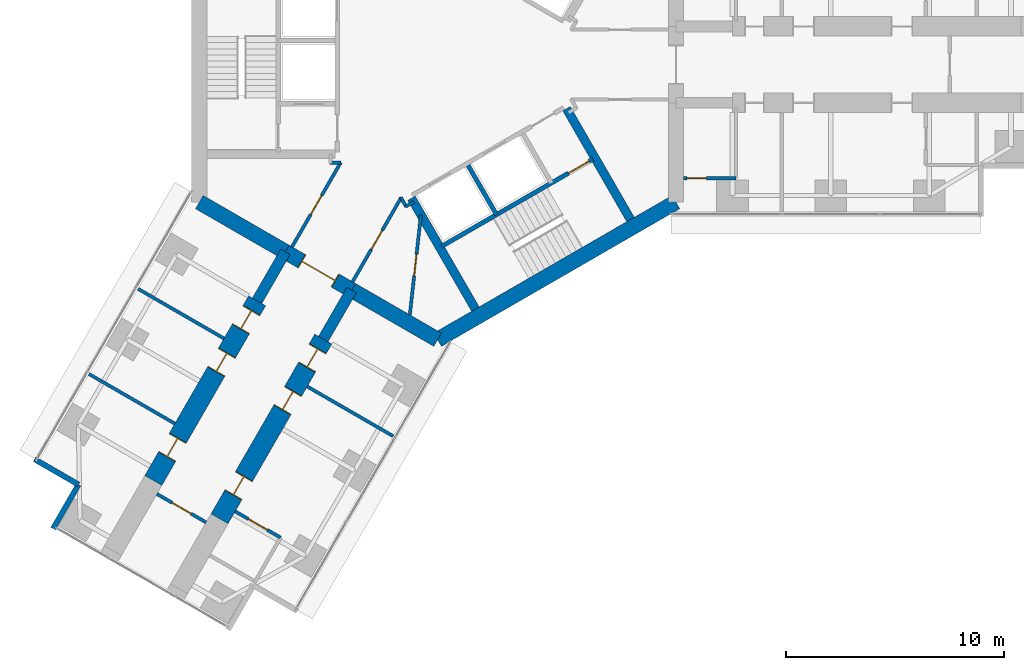
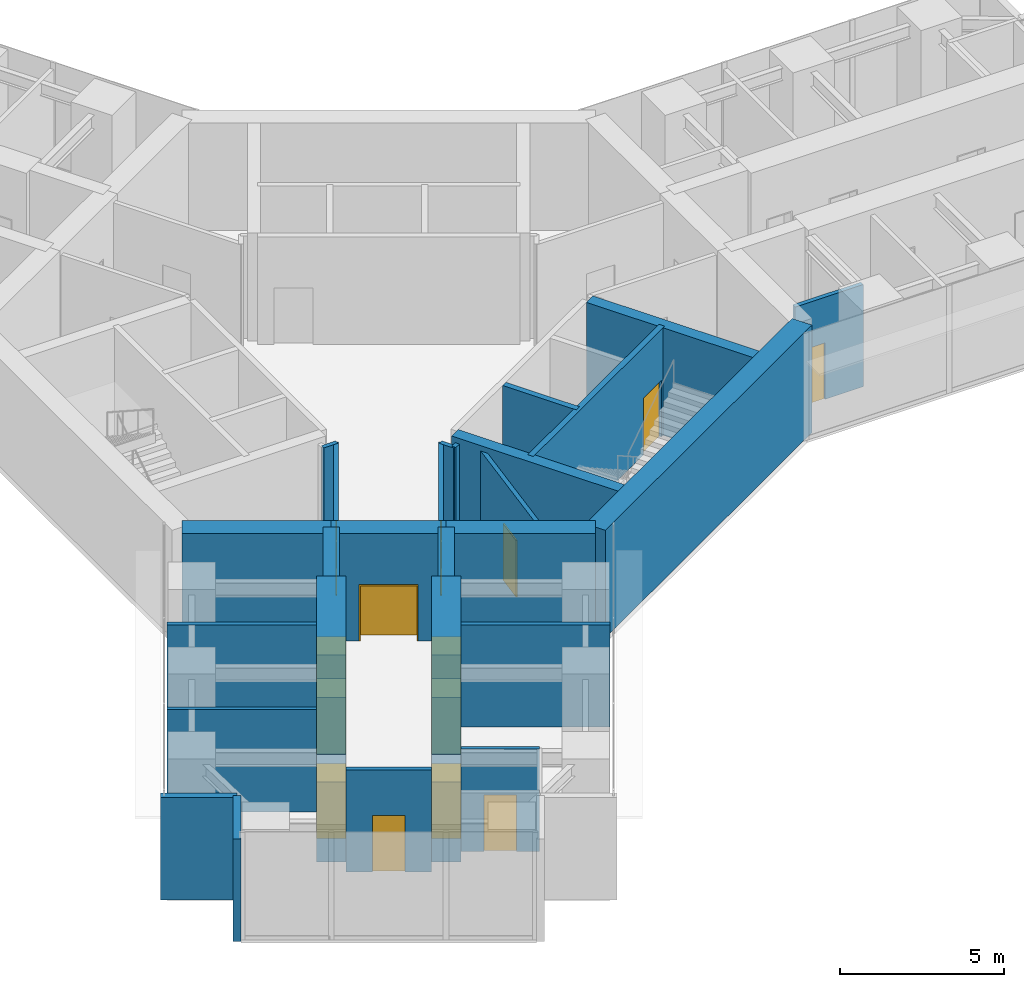
# One storey, part 16 of 24: 26 walls, 14 doors, 14 openings.
"""IFC4 building model written with IfcOpenShell, lengths in metres."""

from ifc_helpers import new_model, si_unit, direction, frame, frame_2d, origin, place, context, subcontext, project, spatial, rectangle, extrude, material, layer, layer_set, type_object, element, fill, save


model = new_model("IFC4")

# Units and contexts
model_context = context("Model", 3, precision=1e-05, world=origin(), true_north=direction((0.0, 1.0)))
body_context = subcontext(model_context, "Body", "Model", "MODEL_VIEW")
ifc_project = project(units=[si_unit("LENGTHUNIT", "METRE"), si_unit("AREAUNIT", "SQUARE_METRE"), si_unit("VOLUMEUNIT", "CUBIC_METRE"), si_unit("PLANEANGLEUNIT", "RADIAN"), si_unit("MASSUNIT", "GRAM", prefix="KILO")], contexts=[model_context])

# Site, building, storey
site_placement = place(None, origin())
site = spatial("IfcSite", under=ifc_project, at=site_placement, CompositionType="ELEMENT")
building_placement = place(site_placement, origin())
building = spatial("IfcBuilding", under=site, at=building_placement, Name="Upepo Twin Towers", CompositionType="ELEMENT")
storey_placement = place(building_placement, frame((0.0, 0.0, 48.5)))
storey = spatial("IfcBuildingStorey", under=building, at=storey_placement, Name="L11", CompositionType="ELEMENT", Elevation=48.5)

# Walls
ifc_material_1 = material(Name="Concrete C60/75", Category="concrete")
ifc_layer_1 = layer(ifc_material_1, 0.5)
ifc_layer_set_1 = layer_set([ifc_layer_1], Name="Concrete C60/75")
wall_type_1 = type_object("IfcWallType", Name="Buttress wall 500 RC", PredefinedType="SHEAR", material=ifc_layer_set_1)
for number, where, z_axis, x_axis, name in (
    (1, (-3.938720703125, -10.32177734375, 0.0), (0.0, 0.0, 1.0), (-0.499918158782, -0.866072649678, 0.0), "T1 wing C buttress wall L"),
    (2, (-6.9697265625, -8.57177734375, 0.0), (0.0, 0.0, 1.0), (-0.499988811324, -0.866031863473, 0.0), "T1 wing C buttress wall R"),
):
    element("IfcWall", number, at=place(storey_placement, frame(where, z_axis=z_axis, x_axis=x_axis)), inside=storey, type_object=wall_type_1, Name=name, PredefinedType="SHEAR", context=body_context, shape_type="SweptSolid", body=[
        extrude(rectangle(XDim=2.591796875, YDim=0.5, at=frame_2d((1.2958984375, 0.0))), origin(), (0.0, 0.0, 1.0), 4.0),
    ])

# Wall, openings, doors
ifc_material_2 = material(Name="Concrete C60/75", Category="concrete")
ifc_layer_2 = layer(ifc_material_2, 0.89990234375)
ifc_layer_set_2 = layer_set([ifc_layer_2], Name="Concrete C60/75")
wall_type_2 = type_object("IfcWallType", Name="Buttress wall 900 RC", PredefinedType="SHEAR", material=ifc_layer_set_2)
wall_1_placement = place(storey_placement, frame((-5.234375, -12.56640625, 0.0), z_axis=(0.0, 0.0, 1.0), x_axis=(-0.499997557548, -0.86602681393, 0.0)))
wall_1 = element("IfcWall", 3, at=wall_1_placement, inside=storey, type_object=wall_type_2, Name="T1 wing C buttress wall L part 2", PredefinedType="SHEAR", context=body_context, shape_type="SweptSolid", body=[
    extrude(rectangle(XDim=9.5, YDim=0.89990234375, at=frame_2d((4.75, 0.0))), origin(), (0.0, 0.0, 1.0), 4.0),
])
opening_1_placement = place(wall_1_placement, frame((0.5, 0.0, 0.0)))
opening_1 = element("IfcOpeningElement", 4, at=opening_1_placement, cuts=wall_1, Name="Opening D1", PredefinedType="OPENING", context=body_context, shape_type="SweptSolid", body=[
    extrude(rectangle(XDim=1.0, YDim=2.10009765625, at=frame_2d((0.5, 1.050048828125))), frame((0.0, 0.4599609375, 0.0), z_axis=(0.0, -1.0, 0.0), x_axis=(1.0, 0.0, 0.0)), (0.0, 0.0, 1.0), 0.919921875),
])
opening_2_placement = place(wall_1_placement, frame((2.75, 0.0, 0.0)))
opening_2 = element("IfcOpeningElement", 5, at=opening_2_placement, cuts=wall_1, Name="Opening D1", PredefinedType="OPENING", context=body_context, shape_type="SweptSolid", body=[
    extrude(rectangle(XDim=1.0, YDim=2.10009765625, at=frame_2d((0.5, 1.050048828125))), frame((0.0, 0.4599609375, 0.0), z_axis=(0.0, -1.0, 0.0), x_axis=(1.0, 0.0, 0.0)), (0.0, 0.0, 1.0), 0.919921875),
])
opening_3_placement = place(wall_1_placement, frame((7.25, 0.0, 0.0)))
opening_3 = element("IfcOpeningElement", 6, at=opening_3_placement, cuts=wall_1, Name="Opening D1", PredefinedType="OPENING", context=body_context, shape_type="SweptSolid", body=[
    extrude(rectangle(XDim=1.0, YDim=2.10009765625, at=frame_2d((0.5, 1.050048828125))), frame((0.0, 0.4599609375, 0.0), z_axis=(0.0, -1.0, 0.0), x_axis=(1.0, 0.0, 0.0)), (0.0, 0.0, 1.0), 0.919921875),
])
ifc_material_3 = material(Name="Timber doorset", Category="wood")
door_type_1 = type_object("IfcDoorType", Name="Room door 1000 FD30", OperationType="SINGLE_SWING_LEFT", PredefinedType="DOOR", material=ifc_material_3)
door_1_placement = place(opening_1_placement, origin())
door_1 = element("IfcDoor", 7, at=door_1_placement, inside=storey, type_object=door_type_1, Name="T1 L11 tutorial room door", OperationType="SINGLE_SWING_LEFT", OverallHeight=2.10009765625, OverallWidth=1.0, PredefinedType="DOOR", context=body_context, shape_type="SweptSolid", body=[
    extrude(rectangle(XDim=0.92, YDim=2.06009765625, at=frame_2d((0.5, 1.030029296875))), frame((0.0, 0.02490234375, 0.0), z_axis=(0.0, -1.0, 0.0), x_axis=(1.0, 0.0, 0.0)), (0.0, 0.0, 1.0), 0.050048828125),
    extrude(rectangle(XDim=0.04, YDim=2.10009765625, at=frame_2d((0.02001953125, 1.050048828125))), frame((0.0, 0.44970703125, 0.0), z_axis=(0.0, -1.0, 0.0), x_axis=(1.0, 0.0, 0.0)), (0.0, 0.0, 1.0), 0.8994140625),
    extrude(rectangle(XDim=0.04, YDim=2.10009765625, at=frame_2d((0.97998046875, 1.050048828125))), frame((0.0, 0.44970703125, 0.0), z_axis=(0.0, -1.0, 0.0), x_axis=(1.0, 0.0, 0.0)), (0.0, 0.0, 1.0), 0.8994140625),
    extrude(rectangle(XDim=0.92, YDim=0.04, at=frame_2d((0.5, 2.080078125))), frame((0.0, 0.44970703125, 0.0), z_axis=(0.0, -1.0, 0.0), x_axis=(1.0, 0.0, 0.0)), (0.0, 0.0, 1.0), 0.8994140625),
])
fill(opening_1, door_1)
door_2_placement = place(opening_2_placement, origin())
door_2 = element("IfcDoor", 8, at=door_2_placement, inside=storey, type_object=door_type_1, Name="T1 L11 teaching laboratory door", OperationType="SINGLE_SWING_LEFT", OverallHeight=2.10009765625, OverallWidth=1.0, PredefinedType="DOOR", context=body_context, shape_type="SweptSolid", body=[
    extrude(rectangle(XDim=0.92, YDim=2.06009765625, at=frame_2d((0.5, 1.030029296875))), frame((0.0, 0.02490234375, 0.0), z_axis=(0.0, -1.0, 0.0), x_axis=(1.0, 0.0, 0.0)), (0.0, 0.0, 1.0), 0.050048828125),
    extrude(rectangle(XDim=0.04, YDim=2.10009765625, at=frame_2d((0.02001953125, 1.050048828125))), frame((0.0, 0.44970703125, 0.0), z_axis=(0.0, -1.0, 0.0), x_axis=(1.0, 0.0, 0.0)), (0.0, 0.0, 1.0), 0.8994140625),
    extrude(rectangle(XDim=0.04, YDim=2.10009765625, at=frame_2d((0.97998046875, 1.050048828125))), frame((0.0, 0.44970703125, 0.0), z_axis=(0.0, -1.0, 0.0), x_axis=(1.0, 0.0, 0.0)), (0.0, 0.0, 1.0), 0.8994140625),
    extrude(rectangle(XDim=0.92, YDim=0.04, at=frame_2d((0.5, 2.080078125))), frame((0.0, 0.44970703125, 0.0), z_axis=(0.0, -1.0, 0.0), x_axis=(1.0, 0.0, 0.0)), (0.0, 0.0, 1.0), 0.8994140625),
])
fill(opening_2, door_2)
door_3_placement = place(opening_3_placement, origin())
door_3 = element("IfcDoor", 9, at=door_3_placement, inside=storey, type_object=door_type_1, Name="T1 L11 teaching laboratory door", OperationType="SINGLE_SWING_RIGHT", OverallHeight=2.10009765625, OverallWidth=1.0, PredefinedType="DOOR", context=body_context, shape_type="SweptSolid", body=[
    extrude(rectangle(XDim=0.92, YDim=2.06009765625, at=frame_2d((0.5, 1.030029296875))), frame((0.0, 0.02490234375, 0.0), z_axis=(0.0, -1.0, 0.0), x_axis=(1.0, 0.0, 0.0)), (0.0, 0.0, 1.0), 0.050048828125),
    extrude(rectangle(XDim=0.04, YDim=2.10009765625, at=frame_2d((0.02001953125, 1.050048828125))), frame((0.0, 0.44970703125, 0.0), z_axis=(0.0, -1.0, 0.0), x_axis=(1.0, 0.0, 0.0)), (0.0, 0.0, 1.0), 0.8994140625),
    extrude(rectangle(XDim=0.04, YDim=2.10009765625, at=frame_2d((0.97998046875, 1.050048828125))), frame((0.0, 0.44970703125, 0.0), z_axis=(0.0, -1.0, 0.0), x_axis=(1.0, 0.0, 0.0)), (0.0, 0.0, 1.0), 0.8994140625),
    extrude(rectangle(XDim=0.92, YDim=0.04, at=frame_2d((0.5, 2.080078125))), frame((0.0, 0.44970703125, 0.0), z_axis=(0.0, -1.0, 0.0), x_axis=(1.0, 0.0, 0.0)), (0.0, 0.0, 1.0), 0.8994140625),
])
fill(opening_3, door_3)

wall_2_placement = place(storey_placement, frame((-8.265625, -10.81640625, 0.0), z_axis=(0.0, 0.0, 1.0), x_axis=(-0.499997557548, -0.86602681393, 0.0)))
wall_2 = element("IfcWall", 10, at=wall_2_placement, inside=storey, type_object=wall_type_2, Name="T1 wing C buttress wall R part 2", PredefinedType="SHEAR", context=body_context, shape_type="SweptSolid", body=[
    extrude(rectangle(XDim=9.5, YDim=0.89990234375, at=frame_2d((4.75, 0.0))), origin(), (0.0, 0.0, 1.0), 4.0),
])
opening_4_placement = place(wall_2_placement, frame((0.5, 0.0, 0.0)))
opening_4 = element("IfcOpeningElement", 11, at=opening_4_placement, cuts=wall_2, Name="Opening D1", PredefinedType="OPENING", context=body_context, shape_type="SweptSolid", body=[
    extrude(rectangle(XDim=1.0, YDim=2.10009765625, at=frame_2d((0.5, 1.050048828125))), frame((0.0, 0.4599609375, 0.0), z_axis=(0.0, -1.0, 0.0), x_axis=(1.0, 0.0, 0.0)), (0.0, 0.0, 1.0), 0.919921875),
])
opening_5_placement = place(wall_2_placement, frame((2.75, 0.0, 0.0)))
opening_5 = element("IfcOpeningElement", 12, at=opening_5_placement, cuts=wall_2, Name="Opening D1", PredefinedType="OPENING", context=body_context, shape_type="SweptSolid", body=[
    extrude(rectangle(XDim=1.0, YDim=2.10009765625, at=frame_2d((0.5, 1.050048828125))), frame((0.0, 0.4599609375, 0.0), z_axis=(0.0, -1.0, 0.0), x_axis=(1.0, 0.0, 0.0)), (0.0, 0.0, 1.0), 0.919921875),
])
opening_6_placement = place(wall_2_placement, frame((7.25, 0.0, 0.0)))
opening_6 = element("IfcOpeningElement", 13, at=opening_6_placement, cuts=wall_2, Name="Opening D1", PredefinedType="OPENING", context=body_context, shape_type="SweptSolid", body=[
    extrude(rectangle(XDim=1.0, YDim=2.10009765625, at=frame_2d((0.5, 1.050048828125))), frame((0.0, 0.4599609375, 0.0), z_axis=(0.0, -1.0, 0.0), x_axis=(1.0, 0.0, 0.0)), (0.0, 0.0, 1.0), 0.919921875),
])
door_4_placement = place(opening_4_placement, origin())
door_4 = element("IfcDoor", 14, at=door_4_placement, inside=storey, type_object=door_type_1, Name="T1 L11 computing laboratory door", OperationType="SINGLE_SWING_LEFT", OverallHeight=2.10009765625, OverallWidth=1.0, PredefinedType="DOOR", context=body_context, shape_type="SweptSolid", body=[
    extrude(rectangle(XDim=0.92, YDim=2.06009765625, at=frame_2d((0.5, 1.030029296875))), frame((0.0, 0.02490234375, 0.0), z_axis=(0.0, -1.0, 0.0), x_axis=(1.0, 0.0, 0.0)), (0.0, 0.0, 1.0), 0.050048828125),
    extrude(rectangle(XDim=0.04, YDim=2.10009765625, at=frame_2d((0.02001953125, 1.050048828125))), frame((0.0, 0.44970703125, 0.0), z_axis=(0.0, -1.0, 0.0), x_axis=(1.0, 0.0, 0.0)), (0.0, 0.0, 1.0), 0.8994140625),
    extrude(rectangle(XDim=0.04, YDim=2.10009765625, at=frame_2d((0.97998046875, 1.050048828125))), frame((0.0, 0.44970703125, 0.0), z_axis=(0.0, -1.0, 0.0), x_axis=(1.0, 0.0, 0.0)), (0.0, 0.0, 1.0), 0.8994140625),
    extrude(rectangle(XDim=0.92, YDim=0.04, at=frame_2d((0.5, 2.080078125))), frame((0.0, 0.44970703125, 0.0), z_axis=(0.0, -1.0, 0.0), x_axis=(1.0, 0.0, 0.0)), (0.0, 0.0, 1.0), 0.8994140625),
])
fill(opening_4, door_4)
door_5_placement = place(opening_5_placement, origin())
door_5 = element("IfcDoor", 15, at=door_5_placement, inside=storey, type_object=door_type_1, Name="T1 L11 seminar room door", OperationType="SINGLE_SWING_LEFT", OverallHeight=2.10009765625, OverallWidth=1.0, PredefinedType="DOOR", context=body_context, shape_type="SweptSolid", body=[
    extrude(rectangle(XDim=0.92, YDim=2.06009765625, at=frame_2d((0.5, 1.030029296875))), frame((0.0, 0.02490234375, 0.0), z_axis=(0.0, -1.0, 0.0), x_axis=(1.0, 0.0, 0.0)), (0.0, 0.0, 1.0), 0.050048828125),
    extrude(rectangle(XDim=0.04, YDim=2.10009765625, at=frame_2d((0.02001953125, 1.050048828125))), frame((0.0, 0.44970703125, 0.0), z_axis=(0.0, -1.0, 0.0), x_axis=(1.0, 0.0, 0.0)), (0.0, 0.0, 1.0), 0.8994140625),
    extrude(rectangle(XDim=0.04, YDim=2.10009765625, at=frame_2d((0.97998046875, 1.050048828125))), frame((0.0, 0.44970703125, 0.0), z_axis=(0.0, -1.0, 0.0), x_axis=(1.0, 0.0, 0.0)), (0.0, 0.0, 1.0), 0.8994140625),
    extrude(rectangle(XDim=0.92, YDim=0.04, at=frame_2d((0.5, 2.080078125))), frame((0.0, 0.44970703125, 0.0), z_axis=(0.0, -1.0, 0.0), x_axis=(1.0, 0.0, 0.0)), (0.0, 0.0, 1.0), 0.8994140625),
])
fill(opening_5, door_5)
door_6_placement = place(opening_6_placement, origin())
door_6 = element("IfcDoor", 16, at=door_6_placement, inside=storey, type_object=door_type_1, Name="T1 L11 staff office door", OperationType="SINGLE_SWING_RIGHT", OverallHeight=2.10009765625, OverallWidth=1.0, PredefinedType="DOOR", context=body_context, shape_type="SweptSolid", body=[
    extrude(rectangle(XDim=0.92, YDim=2.06009765625, at=frame_2d((0.5, 1.030029296875))), frame((0.0, 0.02490234375, 0.0), z_axis=(0.0, -1.0, 0.0), x_axis=(1.0, 0.0, 0.0)), (0.0, 0.0, 1.0), 0.050048828125),
    extrude(rectangle(XDim=0.04, YDim=2.10009765625, at=frame_2d((0.02001953125, 1.050048828125))), frame((0.0, 0.44970703125, 0.0), z_axis=(0.0, -1.0, 0.0), x_axis=(1.0, 0.0, 0.0)), (0.0, 0.0, 1.0), 0.8994140625),
    extrude(rectangle(XDim=0.04, YDim=2.10009765625, at=frame_2d((0.97998046875, 1.050048828125))), frame((0.0, 0.44970703125, 0.0), z_axis=(0.0, -1.0, 0.0), x_axis=(1.0, 0.0, 0.0)), (0.0, 0.0, 1.0), 0.8994140625),
    extrude(rectangle(XDim=0.92, YDim=0.04, at=frame_2d((0.5, 2.080078125))), frame((0.0, 0.44970703125, 0.0), z_axis=(0.0, -1.0, 0.0), x_axis=(1.0, 0.0, 0.0)), (0.0, 0.0, 1.0), 0.8994140625),
])
fill(opening_6, door_6)

# Wall
ifc_material_4 = material(Name="Concrete C60/75", Category="concrete")
ifc_layer_3 = layer(ifc_material_4, 0.699951171875)
ifc_layer_set_3 = layer_set([ifc_layer_3], Name="Concrete C60/75")
wall_type_3 = type_object("IfcWallType", Name="Core wall 700 RC", PredefinedType="SHEAR", material=ifc_layer_set_3)
wall_3_placement = place(storey_placement, frame((-10.908447265625, -6.2978515625, 0.0), z_axis=(0.0, 0.0, 1.0), x_axis=(0.866034513004, -0.499984222037, 0.0)))
element("IfcWall", 17, at=wall_3_placement, inside=storey, type_object=wall_type_3, Name="T1 core wall 240 R", PredefinedType="SHEAR", context=body_context, shape_type="SweptSolid", body=[
    extrude(rectangle(XDim=4.548095703125, YDim=0.699951171875, at=frame_2d((2.27392578125, 0.0))), origin(), (0.0, 0.0, 1.0), 4.0),
])

# Wall, opening, door
wall_4_placement = place(storey_placement, frame((-6.9697265625, -8.57177734375, 0.0), z_axis=(0.0, 0.0, 1.0), x_axis=(0.866019471182, -0.500010275428, 0.0)))
wall_4 = element("IfcWall", 18, at=wall_4_placement, inside=storey, type_object=wall_type_3, Name="T1 core wall 240", PredefinedType="SHEAR", context=body_context, shape_type="SweptSolid", body=[
    extrude(rectangle(XDim=3.5, YDim=0.699951171875, at=frame_2d((1.75, 0.0))), origin(), (0.0, 0.0, 1.0), 4.0),
])
opening_7_placement = place(wall_4_placement, frame((0.85009765625, 0.0, 0.0)))
opening_7 = element("IfcOpeningElement", 19, at=opening_7_placement, cuts=wall_4, Name="Opening D2", PredefinedType="OPENING", context=body_context, shape_type="SweptSolid", body=[
    extrude(rectangle(XDim=1.800048828125, YDim=2.10009765625, at=frame_2d((0.89990234375, 1.050048828125))), frame((0.0, 0.35986328125, 0.0), z_axis=(0.0, -1.0, 0.0), x_axis=(1.0, 0.0, 0.0)), (0.0, 0.0, 1.0), 0.719970703125),
])
ifc_material_5 = material(Name="Timber doorset", Category="wood")
door_type_2 = type_object("IfcDoorType", Name="Corridor double door 1800 FD60", OperationType="DOUBLE_DOOR_DOUBLE_SWING", PredefinedType="DOOR", material=ifc_material_5)
door_7_placement = place(opening_7_placement, origin())
door_7 = element("IfcDoor", 20, at=door_7_placement, inside=storey, type_object=door_type_2, Name="T1 L11 wing C corridor door", OperationType="DOUBLE_DOOR_DOUBLE_SWING", OverallHeight=2.10009765625, OverallWidth=1.800048828125, PredefinedType="DOOR", context=body_context, shape_type="SweptSolid", body=[
    extrude(rectangle(XDim=1.720048828125, YDim=2.06009765625, at=frame_2d((0.89990234375, 1.030029296875))), frame((0.0, 0.02490234375, 0.0), z_axis=(0.0, -1.0, 0.0), x_axis=(1.0, 0.0, 0.0)), (0.0, 0.0, 1.0), 0.050048828125),
    extrude(rectangle(XDim=0.04, YDim=2.10009765625, at=frame_2d((0.02001953125, 1.050048828125))), frame((0.0, 0.349609375, 0.0), z_axis=(0.0, -1.0, 0.0), x_axis=(1.0, 0.0, 0.0)), (0.0, 0.0, 1.0), 0.699462890625),
    extrude(rectangle(XDim=0.04, YDim=2.10009765625, at=frame_2d((1.780029296875, 1.050048828125))), frame((0.0, 0.349609375, 0.0), z_axis=(0.0, -1.0, 0.0), x_axis=(1.0, 0.0, 0.0)), (0.0, 0.0, 1.0), 0.699462890625),
    extrude(rectangle(XDim=1.720048828125, YDim=0.04, at=frame_2d((0.89990234375, 2.080078125))), frame((0.0, 0.349609375, 0.0), z_axis=(0.0, -1.0, 0.0), x_axis=(1.0, 0.0, 0.0)), (0.0, 0.0, 1.0), 0.699462890625),
])
fill(opening_7, door_7)

# Walls
wall_5_placement = place(storey_placement, frame((-3.938720703125, -10.32177734375, 0.0), z_axis=(0.0, 0.0, 1.0), x_axis=(0.866011268655, -0.500024481964, 0.0)))
element("IfcWall", 21, at=wall_5_placement, inside=storey, type_object=wall_type_3, Name="T1 core wall 240 L", PredefinedType="SHEAR", context=body_context, shape_type="SweptSolid", body=[
    extrude(rectangle(XDim=4.548095703125, YDim=0.699951171875, at=frame_2d((2.27392578125, 0.0))), origin(), (0.0, 0.0, 1.0), 4.0),
])
wall_6_placement = place(storey_placement, frame((0.0, -12.595947265625, 0.0), z_axis=(0.0, 0.0, 1.0), x_axis=(0.866021940709, 0.500005998175, 0.0)))
element("IfcWall", 22, at=wall_6_placement, inside=storey, type_object=wall_type_3, Name="T1 core wall 300", PredefinedType="SHEAR", context=body_context, shape_type="SweptSolid", body=[
    extrude(rectangle(XDim=12.595947265625, YDim=0.699951171875, at=frame_2d((6.2978515625, 0.0))), origin(), (0.0, 0.0, 1.0), 4.0),
])
ifc_material_6 = material(Name="Blockwork with anodised aluminium cladding", Category="masonry")
ifc_layer_4 = layer(ifc_material_6, 0.25)
ifc_layer_set_4 = layer_set([ifc_layer_4], Name="Notch cladding wall 250, pale metal")
wall_type_4 = type_object("IfcWallType", Name="Notch cladding wall 250, pale metal", PredefinedType="STANDARD", material=ifc_layer_set_4)
for number, where, z_axis, x_axis, name in (
    (23, (-18.456298828125, -18.0673828125, 0.0), (0.0, 0.0, 1.0), (0.865998469481, -0.500046648681, 0.0), "T1 L11 wing C notch wall R1"),
    (24, (-16.44287109375, -19.22998046875, 0.0), (0.0, 0.0, 1.0), (-0.500046648681, -0.865998469481, 0.0), "T1 L11 wing C notch wall R2"),
):
    element("IfcWall", number, at=place(storey_placement, frame(where, z_axis=z_axis, x_axis=x_axis)), inside=storey, type_object=wall_type_4, Name=name, PredefinedType="STANDARD", context=body_context, shape_type="SweptSolid", body=[
        extrude(rectangle(XDim=2.324951171875, YDim=0.25, at=frame_2d((1.16259765625, 0.0))), origin(), (0.0, 0.0, 1.0), 3.800048828125),
    ])
ifc_material_7 = material(Name="Concrete C40/50", Category="concrete")
ifc_layer_5 = layer(ifc_material_7, 0.199951171875)
ifc_layer_set_5 = layer_set([ifc_layer_5], Name="Concrete C40/50")
wall_type_5 = type_object("IfcWallType", Name="Shaft wall 200 RC", PredefinedType="SHEAR", material=ifc_layer_set_5)
wall_7_placement = place(storey_placement, frame((1.3974609375, -4.620361328125, 0.0), z_axis=(0.0, 0.0, 1.0), x_axis=(0.499936506574, -0.866062058628, 0.0)))
element("IfcWall", 25, at=wall_7_placement, inside=storey, type_object=wall_type_5, Name="T1 core W300 shaft divider", PredefinedType="SHEAR", context=body_context, shape_type="SweptSolid", body=[
    extrude(rectangle(XDim=2.599853515625, YDim=0.199951171875, at=frame_2d((1.2998046875, 0.0))), origin(), (0.0, 0.0, 1.0), 4.0),
])

# Wall, opening, door
wall_8_placement = place(storey_placement, frame((0.185791015625, -8.322021484375, 0.0), z_axis=(0.0, 0.0, 1.0), x_axis=(0.866026010844, 0.49999894854, 0.0)))
wall_8 = element("IfcWall", 26, at=wall_8_placement, inside=storey, type_object=wall_type_5, Name="T1 core W300 stair wall", PredefinedType="SHEAR", context=body_context, shape_type="SweptSolid", body=[
    extrude(rectangle(XDim=8.0, YDim=0.199951171875, at=frame_2d((4.0, 0.0))), origin(), (0.0, 0.0, 1.0), 4.0),
])
opening_8_placement = place(wall_8_placement, frame((6.699951171875, 0.0, 0.0)))
opening_8 = element("IfcOpeningElement", 27, at=opening_8_placement, cuts=wall_8, Name="Opening D3", PredefinedType="OPENING", context=body_context, shape_type="SweptSolid", body=[
    extrude(rectangle(XDim=1.10009765625, YDim=2.10009765625, at=frame_2d((0.550048828125, 1.050048828125))), frame((0.0, 0.10986328125, 0.0), z_axis=(0.0, -1.0, 0.0), x_axis=(1.0, 0.0, 0.0)), (0.0, 0.0, 1.0), 0.219970703125),
])
ifc_material_8 = material(Name="Timber doorset", Category="wood")
door_type_3 = type_object("IfcDoorType", Name="Stair door 1100 FD60", OperationType="SINGLE_SWING_LEFT", PredefinedType="DOOR", material=ifc_material_8)
door_8_placement = place(opening_8_placement, origin())
door_8 = element("IfcDoor", 28, at=door_8_placement, inside=storey, type_object=door_type_3, Name="T1 L11 stair door", OperationType="SINGLE_SWING_RIGHT", OverallHeight=2.10009765625, OverallWidth=1.10009765625, PredefinedType="DOOR", context=body_context, shape_type="SweptSolid", body=[
    extrude(rectangle(XDim=1.10009765625, YDim=2.10009765625, at=frame_2d((0.550048828125, 1.050048828125))), frame((0.0, 0.02490234375, 0.0), z_axis=(0.0, -1.0, 0.0), x_axis=(1.0, 0.0, 0.0)), (0.0, 0.0, 1.0), 0.050048828125),
])
fill(opening_8, door_8)

# Walls
ifc_material_9 = material(Name="Concrete C40/50", Category="concrete")
ifc_layer_6 = layer(ifc_material_9, 0.39990234375)
ifc_layer_set_6 = layer_set([ifc_layer_6], Name="Concrete C40/50")
wall_type_6 = type_object("IfcWallType", Name="Shaft wall 400 RC", PredefinedType="SHEAR", material=ifc_layer_set_6)
for number, where, z_axis, x_axis, name in (
    (29, (5.900634765625, -2.020263671875, 0.0), (0.0, 0.0, 1.0), (0.500002627198, -0.866023886965, 0.0), "T1 core W300 side wall N"),
    (30, (-1.20068359375, -6.120361328125, 0.0), (0.0, 0.0, 1.0), (0.500002627198, -0.866023886965, 0.0), "T1 core W300 side wall S"),
):
    element("IfcWall", number, at=place(storey_placement, frame(where, z_axis=z_axis, x_axis=x_axis)), inside=storey, type_object=wall_type_6, Name=name, PredefinedType="SHEAR", context=body_context, shape_type="SweptSolid", body=[
        extrude(rectangle(XDim=5.8583984375, YDim=0.39990234375, at=frame_2d((2.92919921875, 0.0))), origin(), (0.0, 0.0, 1.0), 4.0),
    ])

# Wall, opening, door
ifc_material_10 = material(Name="Gypsum board on steel studs", Category="steel")
ifc_layer_7 = layer(ifc_material_10, 0.14990234375)
ifc_layer_set_7 = layer_set([ifc_layer_7], Name="Teaching partition 150 acoustic")
wall_type_7 = type_object("IfcWallType", Name="Teaching partition 150 acoustic", PredefinedType="PARTITIONING", material=ifc_layer_set_7)
wall_9_placement = place(storey_placement, frame((11.258056640625, -5.199951171875, 0.0), z_axis=(0.0, 0.0, 1.0), x_axis=(1.0, 0.0, 0.0)))
wall_9 = element("IfcWall", 31, at=wall_9_placement, inside=storey, type_object=wall_type_7, Name="T1 WC bay partition AR at 11.26", PredefinedType="PARTITIONING", context=body_context, shape_type="SweptSolid", body=[
    extrude(rectangle(XDim=2.39990234375, YDim=0.14990234375, at=frame_2d((1.199951171875, 0.0))), origin(), (0.0, 0.0, 1.0), 3.800048828125),
])
opening_9_placement = place(wall_9_placement, frame((0.14990234375, 0.0, 0.0)))
opening_9 = element("IfcOpeningElement", 32, at=opening_9_placement, cuts=wall_9, Name="Opening D14", PredefinedType="OPENING", context=body_context, shape_type="SweptSolid", body=[
    extrude(rectangle(XDim=0.89990234375, YDim=2.10009765625, at=frame_2d((0.449951171875, 1.050048828125))), frame((0.0, 0.0849609375, 0.0), z_axis=(0.0, -1.0, 0.0), x_axis=(1.0, 0.0, 0.0)), (0.0, 0.0, 1.0), 0.169921875),
])
ifc_material_11 = material(Name="Timber doorset", Category="wood")
door_type_4 = type_object("IfcDoorType", Name="Office door 900 FD30", OperationType="SINGLE_SWING_LEFT", PredefinedType="DOOR", material=ifc_material_11)
door_9_placement = place(opening_9_placement, origin())
door_9 = element("IfcDoor", 33, at=door_9_placement, inside=storey, type_object=door_type_4, Name="T1 L11 WC bay inner room door", OperationType="SINGLE_SWING_LEFT", OverallHeight=2.10009765625, OverallWidth=0.89990234375, PredefinedType="DOOR", context=body_context, shape_type="SweptSolid", body=[
    extrude(rectangle(XDim=0.89990234375, YDim=2.10009765625, at=frame_2d((0.449951171875, 1.050048828125))), frame((0.0, 0.02490234375, 0.0), z_axis=(0.0, -1.0, 0.0), x_axis=(1.0, 0.0, 0.0)), (0.0, 0.0, 1.0), 0.050048828125),
])
fill(opening_9, door_9)

# Wall
wall_10_placement = place(storey_placement, frame((-5.9697265625, -14.739990234375, 0.0), z_axis=(0.0, 0.0, 1.0), x_axis=(0.866035472144, -0.499982560684, 0.0)))
element("IfcWall", 34, at=wall_10_placement, inside=storey, type_object=wall_type_7, Name="T1 partition CL at 15.75", PredefinedType="PARTITIONING", context=body_context, shape_type="SweptSolid", body=[
    extrude(rectangle(XDim=4.550048828125, YDim=0.14990234375, at=frame_2d((2.27490234375, 0.0))), origin(), (0.0, 0.0, 1.0), 3.800048828125),
])

# Wall, opening, door
wall_11_placement = place(storey_placement, frame((-9.269775390625, -20.45556640625, 0.0), z_axis=(0.0, 0.0, 1.0), x_axis=(0.866006032174, -0.500033551112, 0.0)))
wall_11 = element("IfcWall", 35, at=wall_11_placement, inside=storey, type_object=wall_type_7, Name="T1 inner room partition CL end at 22.35", PredefinedType="PARTITIONING", context=body_context, shape_type="SweptSolid", body=[
    extrude(rectangle(XDim=2.400146484375, YDim=0.14990234375, at=frame_2d((1.2001953125, 0.0))), origin(), (0.0, 0.0, 1.0), 3.800048828125),
])
opening_10_placement = place(wall_11_placement, frame((0.699951171875, 0.0, 0.0)))
opening_10 = element("IfcOpeningElement", 36, at=opening_10_placement, cuts=wall_11, Name="Opening D1", PredefinedType="OPENING", context=body_context, shape_type="SweptSolid", body=[
    extrude(rectangle(XDim=1.0, YDim=2.10009765625, at=frame_2d((0.5, 1.050048828125))), frame((0.0, 0.0849609375, 0.0), z_axis=(0.0, -1.0, 0.0), x_axis=(1.0, 0.0, 0.0)), (0.0, 0.0, 1.0), 0.169921875),
])
door_10_placement = place(opening_10_placement, origin())
door_10 = element("IfcDoor", 37, at=door_10_placement, inside=storey, type_object=door_type_1, Name="T1 L11 inner room door", OperationType="SINGLE_SWING_LEFT", OverallHeight=2.10009765625, OverallWidth=1.0, PredefinedType="DOOR", context=body_context, shape_type="SweptSolid", body=[
    extrude(rectangle(XDim=1.0, YDim=2.10009765625, at=frame_2d((0.5, 1.050048828125))), frame((0.0, 0.02490234375, 0.0), z_axis=(0.0, -1.0, 0.0), x_axis=(1.0, 0.0, 0.0)), (0.0, 0.0, 1.0), 0.050048828125),
])
fill(opening_10, door_10)

# Walls
for number, where, z_axis, x_axis, name in (
    (38, (-9.7802734375, -12.539794921875, 0.0), (0.0, 0.0, 1.0), (-0.866035472144, 0.499982560684, 0.0), "T1 partition CR at 15.75"),
    (39, (-12.0302734375, -16.43701171875, 0.0), (0.0, 0.0, 1.0), (-0.866035472144, 0.499982560684, 0.0), "T1 partition CR at 20.25"),
):
    element("IfcWall", number, at=place(storey_placement, frame(where, z_axis=z_axis, x_axis=x_axis)), inside=storey, type_object=wall_type_7, Name=name, PredefinedType="PARTITIONING", context=body_context, shape_type="SweptSolid", body=[
        extrude(rectangle(XDim=4.550048828125, YDim=0.14990234375, at=frame_2d((2.27490234375, 0.0))), origin(), (0.0, 0.0, 1.0), 3.800048828125),
    ])
wall_12_placement = place(storey_placement, frame((-1.092041015625, -6.28857421875, 0.0), z_axis=(0.0, 0.0, 1.0), x_axis=(-0.866138304741, -0.499804398801, 0.0)))
element("IfcWall", 40, at=wall_12_placement, inside=storey, type_object=wall_type_7, Name="T1 core room partition 2", PredefinedType="PARTITIONING", context=body_context, shape_type="SweptSolid", body=[
    extrude(rectangle(XDim=0.429931640625, YDim=0.14990234375, at=frame_2d((0.21484375, 0.0))), origin(), (0.0, 0.0, 1.0), 3.800048828125),
])
wall_13_placement = place(storey_placement, frame((-1.43701171875, -6.5107421875, 0.0), z_axis=(0.0, 0.0, 1.0), x_axis=(-0.50033519877, 0.865831790172, 0.0)))
element("IfcWall", 41, at=wall_13_placement, inside=storey, type_object=wall_type_7, Name="T1 core room partition 3", PredefinedType="PARTITIONING", context=body_context, shape_type="SweptSolid", body=[
    extrude(rectangle(XDim=0.494384765625, YDim=0.14990234375, at=frame_2d((0.2470703125, 0.0))), origin(), (0.0, 0.0, 1.0), 3.800048828125),
])

# Wall, opening, door
wall_14_placement = place(storey_placement, frame((-1.664306640625, -6.082763671875, 0.0), z_axis=(0.0, 0.0, 1.0), x_axis=(-0.499999927604, -0.866025445582, 0.0)))
wall_14 = element("IfcWall", 42, at=wall_14_placement, inside=storey, type_object=wall_type_7, Name="T1 core room partition 4", PredefinedType="PARTITIONING", context=body_context, shape_type="SweptSolid", body=[
    extrude(rectangle(XDim=4.46826171875, YDim=0.14990234375, at=frame_2d((2.234130859375, 0.0))), origin(), (0.0, 0.0, 1.0), 3.800048828125),
])
opening_11_placement = place(wall_14_placement, frame((1.744384765625, 0.0, 0.0)))
opening_11 = element("IfcOpeningElement", 43, at=opening_11_placement, cuts=wall_14, Name="Opening D1", PredefinedType="OPENING", context=body_context, shape_type="SweptSolid", body=[
    extrude(rectangle(XDim=1.0, YDim=2.10009765625, at=frame_2d((0.5, 1.050048828125))), frame((0.0, 0.0849609375, 0.0), z_axis=(0.0, -1.0, 0.0), x_axis=(1.0, 0.0, 0.0)), (0.0, 0.0, 1.0), 0.169921875),
])
door_11_placement = place(opening_11_placement, origin())
door_11 = element("IfcDoor", 44, at=door_11_placement, inside=storey, type_object=door_type_1, Name="T1 L11 core room door K2", OperationType="SINGLE_SWING_RIGHT", OverallHeight=2.10009765625, OverallWidth=1.0, PredefinedType="DOOR", context=body_context, shape_type="SweptSolid", body=[
    extrude(rectangle(XDim=1.0, YDim=2.10009765625, at=frame_2d((0.5, 1.050048828125))), frame((0.0, 0.02490234375, 0.0), z_axis=(0.0, -1.0, 0.0), x_axis=(1.0, 0.0, 0.0)), (0.0, 0.0, 1.0), 0.050048828125),
])
fill(opening_11, door_11)

wall_15_placement = place(storey_placement, frame((-6.669921875, -8.3525390625, 0.0), z_axis=(0.0, 0.0, 1.0), x_axis=(0.500017246033, 0.866015446554, 0.0)))
wall_15 = element("IfcWall", 45, at=wall_15_placement, inside=storey, type_object=wall_type_7, Name="T1 core room partition 5", PredefinedType="PARTITIONING", context=body_context, shape_type="SweptSolid", body=[
    extrude(rectangle(XDim=4.468505859375, YDim=0.14990234375, at=frame_2d((2.234375, 0.0))), origin(), (0.0, 0.0, 1.0), 3.800048828125),
])
opening_12_placement = place(wall_15_placement, frame((1.72412109375, 0.0, 0.0)))
opening_12 = element("IfcOpeningElement", 46, at=opening_12_placement, cuts=wall_15, Name="Opening D1", PredefinedType="OPENING", context=body_context, shape_type="SweptSolid", body=[
    extrude(rectangle(XDim=1.0, YDim=2.10009765625, at=frame_2d((0.5, 1.050048828125))), frame((0.0, 0.0849609375, 0.0), z_axis=(0.0, -1.0, 0.0), x_axis=(1.0, 0.0, 0.0)), (0.0, 0.0, 1.0), 0.169921875),
])
door_12_placement = place(opening_12_placement, origin())
door_12 = element("IfcDoor", 47, at=door_12_placement, inside=storey, type_object=door_type_1, Name="T1 L11 core room door K1", OperationType="SINGLE_SWING_LEFT", OverallHeight=2.10009765625, OverallWidth=1.0, PredefinedType="DOOR", context=body_context, shape_type="SweptSolid", body=[
    extrude(rectangle(XDim=1.0, YDim=2.10009765625, at=frame_2d((0.5, 1.050048828125))), frame((0.0, 0.02490234375, 0.0), z_axis=(0.0, -1.0, 0.0), x_axis=(1.0, 0.0, 0.0)), (0.0, 0.0, 1.0), 0.050048828125),
])
fill(opening_12, door_12)

# Wall
wall_16_placement = place(storey_placement, frame((-4.425537109375, -4.5, 0.0), z_axis=(0.0, 0.0, 1.0), x_axis=(-1.0, 0.0, 0.0)))
element("IfcWall", 48, at=wall_16_placement, inside=storey, type_object=wall_type_7, Name="T1 core room partition 6", PredefinedType="PARTITIONING", context=body_context, shape_type="SweptSolid", body=[
    extrude(rectangle(XDim=0.494384765625, YDim=0.14990234375, at=frame_2d((0.2470703125, 0.0))), origin(), (0.0, 0.0, 1.0), 3.800048828125),
])

# Wall, opening, door
wall_17_placement = place(storey_placement, frame((-0.763916015625, -6.876953125, 0.0), z_axis=(0.0, 0.0, 1.0), x_axis=(-0.110408266965, -0.993886318744, 0.0)))
wall_17 = element("IfcWall", 49, at=wall_17_placement, inside=storey, type_object=wall_type_7, Name="T1 core room partition 19", PredefinedType="PARTITIONING", context=body_context, shape_type="SweptSolid", body=[
    extrude(rectangle(XDim=4.608154296875, YDim=0.14990234375, at=frame_2d((2.30419921875, 0.0))), origin(), (0.0, 0.0, 1.0), 3.800048828125),
])
opening_13_placement = place(wall_17_placement, frame((1.80419921875, 0.0, 0.0)))
opening_13 = element("IfcOpeningElement", 50, at=opening_13_placement, cuts=wall_17, Name="Opening D1", PredefinedType="OPENING", context=body_context, shape_type="SweptSolid", body=[
    extrude(rectangle(XDim=1.0, YDim=2.10009765625, at=frame_2d((0.5, 1.050048828125))), frame((0.0, 0.0849609375, 0.0), z_axis=(0.0, -1.0, 0.0), x_axis=(1.0, 0.0, 0.0)), (0.0, 0.0, 1.0), 0.169921875),
])
door_13_placement = place(opening_13_placement, origin())
door_13 = element("IfcDoor", 51, at=door_13_placement, inside=storey, type_object=door_type_1, Name="T1 L11 core room door K3", OperationType="SINGLE_SWING_LEFT", OverallHeight=2.10009765625, OverallWidth=1.0, PredefinedType="DOOR", context=body_context, shape_type="SweptSolid", body=[
    extrude(rectangle(XDim=1.0, YDim=2.10009765625, at=frame_2d((0.5, 1.050048828125))), frame((0.0, 0.02490234375, 0.0), z_axis=(0.0, -1.0, 0.0), x_axis=(1.0, 0.0, 0.0)), (0.0, 0.0, 1.0), 0.050048828125),
])
fill(opening_13, door_13)

wall_18_placement = place(storey_placement, frame((-12.850830078125, -19.658203125, 0.0), z_axis=(0.0, 0.0, 1.0), x_axis=(0.866021400173, -0.500006934395, 0.0)))
wall_18 = element("IfcWall", 52, at=wall_18_placement, inside=storey, type_object=wall_type_7, Name="T1 corridor end partition C at 23.45", PredefinedType="PARTITIONING", context=body_context, shape_type="SweptSolid", body=[
    extrude(rectangle(XDim=2.60009765625, YDim=0.14990234375, at=frame_2d((1.300048828125, 0.0))), origin(), (0.0, 0.0, 1.0), 3.800048828125),
])
opening_14_placement = place(wall_18_placement, frame((0.800048828125, 0.0, 0.0)))
opening_14 = element("IfcOpeningElement", 53, at=opening_14_placement, cuts=wall_18, Name="Opening D1", PredefinedType="OPENING", context=body_context, shape_type="SweptSolid", body=[
    extrude(rectangle(XDim=1.0, YDim=2.10009765625, at=frame_2d((0.5, 1.050048828125))), frame((0.0, 0.0849609375, 0.0), z_axis=(0.0, -1.0, 0.0), x_axis=(1.0, 0.0, 0.0)), (0.0, 0.0, 1.0), 0.169921875),
])
door_14_placement = place(opening_14_placement, origin())
door_14 = element("IfcDoor", 54, at=door_14_placement, inside=storey, type_object=door_type_1, Name="T1 L11 breakout study room door", OperationType="SINGLE_SWING_LEFT", OverallHeight=2.10009765625, OverallWidth=1.0, PredefinedType="DOOR", context=body_context, shape_type="SweptSolid", body=[
    extrude(rectangle(XDim=1.0, YDim=2.10009765625, at=frame_2d((0.5, 1.050048828125))), frame((0.0, 0.02490234375, 0.0), z_axis=(0.0, -1.0, 0.0), x_axis=(1.0, 0.0, 0.0)), (0.0, 0.0, 1.0), 0.050048828125),
])
fill(opening_14, door_14)

save(model, "model.ifc")
